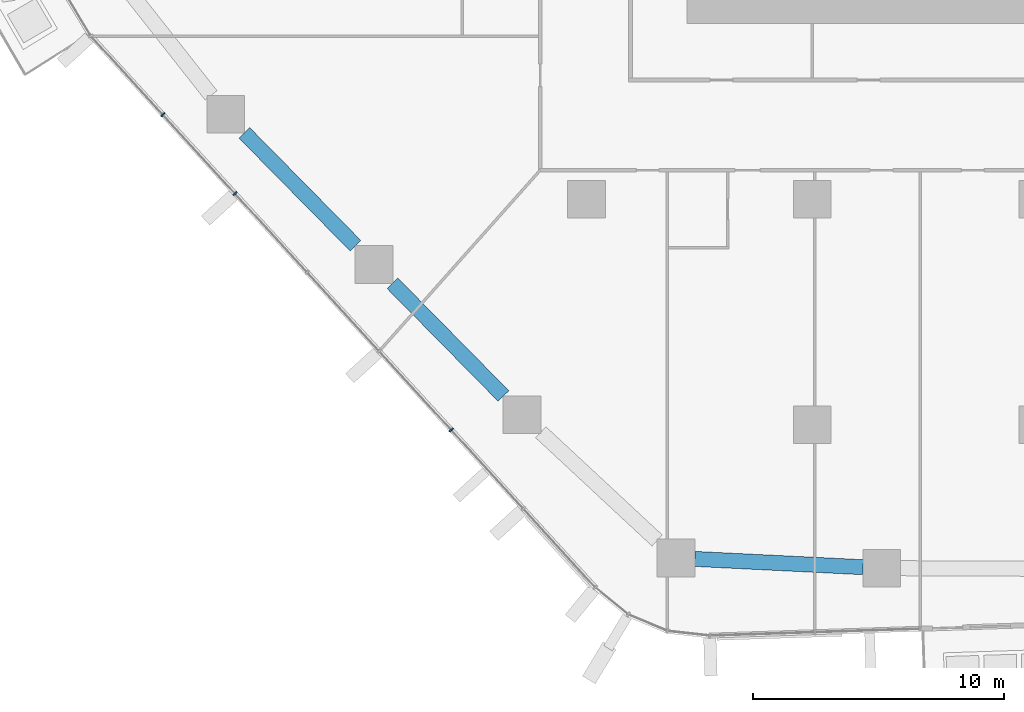
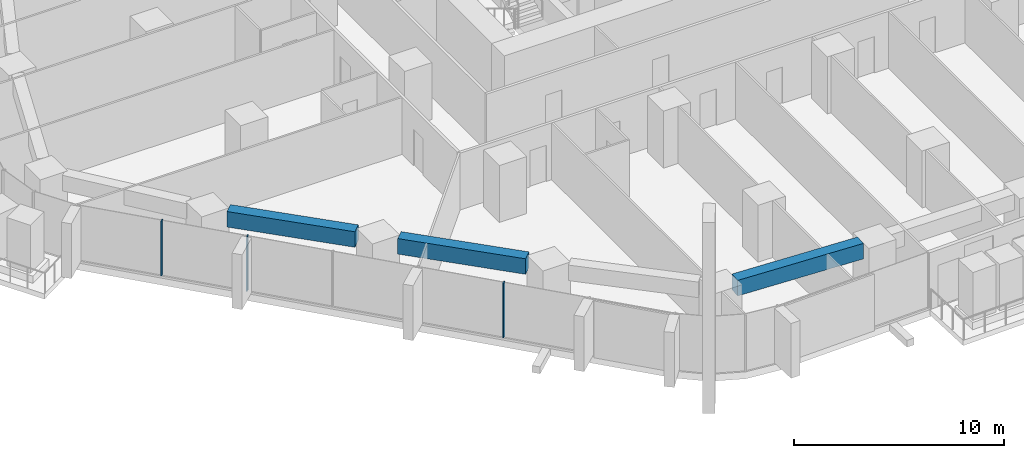
# One storey, part 3 of 27: 3 beams, 3 members, 1 element without a shape of its own.
"""IFC4 building model written with IfcOpenShell, lengths in metres."""

from ifc_helpers import new_model, si_unit, direction, frame, origin, origin_2d, place, context, subcontext, project, spatial, rectangle, extrude, material, layer, layer_set, material_profile, profile_set, type_object, element, aggregate, save


model = new_model("IFC4")

# Units and contexts
model_context = context("Model", 3, precision=1e-05, world=origin(), true_north=direction((0.0, 1.0)))
body_context = subcontext(model_context, "Body", "Model", "MODEL_VIEW")
ifc_project = project(units=[si_unit("LENGTHUNIT", "METRE"), si_unit("AREAUNIT", "SQUARE_METRE"), si_unit("VOLUMEUNIT", "CUBIC_METRE"), si_unit("PLANEANGLEUNIT", "RADIAN"), si_unit("MASSUNIT", "GRAM", prefix="KILO")], contexts=[model_context])

# Site, building, storey
site_placement = place(None, origin())
site = spatial("IfcSite", under=ifc_project, at=site_placement, CompositionType="ELEMENT")
building_placement = place(site_placement, origin())
building = spatial("IfcBuilding", under=site, at=building_placement, Name="Dongbaek Canopy Tower", CompositionType="ELEMENT")
storey_placement = place(building_placement, frame((0.0, 0.0, 55.10009765625)))
storey = spatial("IfcBuildingStorey", under=building, at=storey_placement, Name="L09", CompositionType="ELEMENT", Elevation=55.10009765625)

# Curtain wall, members
ifc_material_1 = material(Name="Aluminium 6063-T6 pale anodised", Category="aluminium")
ifc_layer = layer(ifc_material_1, 0.199951171875)
ifc_layer_set = layer_set([ifc_layer], Name="CW-1 unitised tower curtain wall")
curtain_wall_type = type_object("IfcCurtainWallType", Name="CW-1 unitised tower curtain wall", PredefinedType="NOTDEFINED", material=ifc_layer_set)
curtain_wall_placement = place(storey_placement, origin())
curtain_wall = element("IfcCurtainWall", 1, at=curtain_wall_placement, inside=storey, type_object=curtain_wall_type, Name="CW-1 curtain wall F3.1", PredefinedType="NOTDEFINED")
ifc_material_2 = material(Name="Aluminium 6063-T6 pale anodised", Category="aluminium")
ifc_material_profile_1 = material_profile(ifc_material_2, rectangle(XDim=0.199951171875, YDim=0.06005859375, at=origin_2d()), Name="CW-1 mullion 60 x 200")
ifc_profile_set_1 = profile_set([ifc_material_profile_1], Name="Aluminium 6063-T6 pale anodised")
member_type = type_object("IfcMemberType", Name="CW-1 mullion 60 x 200", PredefinedType="MULLION", material=ifc_profile_set_1)
member_1_placement = place(storey_placement, frame((-34.893798828125, -14.634033203125, 0.119873046875), z_axis=(0.0, 0.0, 1.0), x_axis=(-0.737854848702, -0.674959422667, 0.0)))
member_1 = element("IfcMember", 2, at=member_1_placement, type_object=member_type, Name="CW-1 mullion F3.1.2", PredefinedType="MULLION", context=body_context, shape_type="SweptSolid", body=[
    extrude(rectangle(XDim=0.199951171875, YDim=0.06005859375, at=origin_2d()), origin(), (0.0, 0.0, 1.0), 3.179931640625),
])
member_2_placement = place(storey_placement, frame((-32.01806640625, -17.777587890625, 0.119873046875), z_axis=(0.0, 0.0, 1.0), x_axis=(-0.737854848702, -0.674959422667, 0.0)))
member_2 = element("IfcMember", 3, at=member_2_placement, type_object=member_type, Name="CW-1 mullion F3.1.3", PredefinedType="MULLION", context=body_context, shape_type="SweptSolid", body=[
    extrude(rectangle(XDim=0.199951171875, YDim=0.06005859375, at=origin_2d()), origin(), (0.0, 0.0, 1.0), 3.179931640625),
])
member_3_placement = place(storey_placement, frame((-23.391357421875, -27.208251953125, 0.119873046875), z_axis=(0.0, 0.0, 1.0), x_axis=(-0.737854848702, -0.674959422667, 0.0)))
member_3 = element("IfcMember", 4, at=member_3_placement, type_object=member_type, Name="CW-1 mullion F3.1.6", PredefinedType="MULLION", context=body_context, shape_type="SweptSolid", body=[
    extrude(rectangle(XDim=0.199951171875, YDim=0.06005859375, at=origin_2d()), origin(), (0.0, 0.0, 1.0), 3.179931640625),
])
aggregate(curtain_wall, [member_1, member_2, member_3])

# Beams
ifc_material_3 = material(Name="Concrete C80", Category="concrete")
ifc_material_profile_2 = material_profile(ifc_material_3, rectangle(XDim=0.60009765625, YDim=0.89990234375, at=origin_2d()), Name="RC EDGE BEAM 600x900 C80")
ifc_profile_set_2 = profile_set([ifc_material_profile_2], Name="Concrete C80")
beam_type = type_object("IfcBeamType", Name="RC EDGE BEAM 600x900 C80", PredefinedType="BEAM", material=ifc_profile_set_2)
beam_1_placement = place(storey_placement, frame((-6.971923828125, -32.68017578125, 2.849853515625), z_axis=(-0.998791258722, 0.049153041612, 0.0), x_axis=(-0.049153041612, -0.998791258722, 0.0)))
element("IfcBeam", 5, at=beam_1_placement, inside=storey, type_object=beam_type, Name="EDGEBEAM:L09:03", PredefinedType="BEAM", context=body_context, shape_type="SweptSolid", body=[
    extrude(rectangle(XDim=0.60009765625, YDim=0.89990234375, at=origin_2d()), origin(), (0.0, 0.0, 1.0), 6.72021484375),
])
beam_2_placement = place(storey_placement, frame((-21.312744140625, -25.85205078125, 2.849853515625), z_axis=(-0.701726082417, 0.712446843811, 0.0), x_axis=(-0.712446843811, -0.701726082417, 0.0)))
element("IfcBeam", 6, at=beam_2_placement, inside=storey, type_object=beam_type, Name="EDGEBEAM:L09:05", PredefinedType="BEAM", context=body_context, shape_type="SweptSolid", body=[
    extrude(rectangle(XDim=0.60009765625, YDim=0.89990234375, at=origin_2d()), origin(), (0.0, 0.0, 1.0), 6.30810546875),
])
beam_3_placement = place(storey_placement, frame((-27.216552734375, -19.85791015625, 2.849853515625), z_axis=(-0.701687682569, 0.712484663787, 0.0), x_axis=(-0.712484663787, -0.701687682569, 0.0)))
element("IfcBeam", 7, at=beam_3_placement, inside=storey, type_object=beam_type, Name="EDGEBEAM:L09:06", PredefinedType="BEAM", context=body_context, shape_type="SweptSolid", body=[
    extrude(rectangle(XDim=0.60009765625, YDim=0.89990234375, at=origin_2d()), origin(), (0.0, 0.0, 1.0), 6.308837890625),
])

save(model, "model.ifc")
